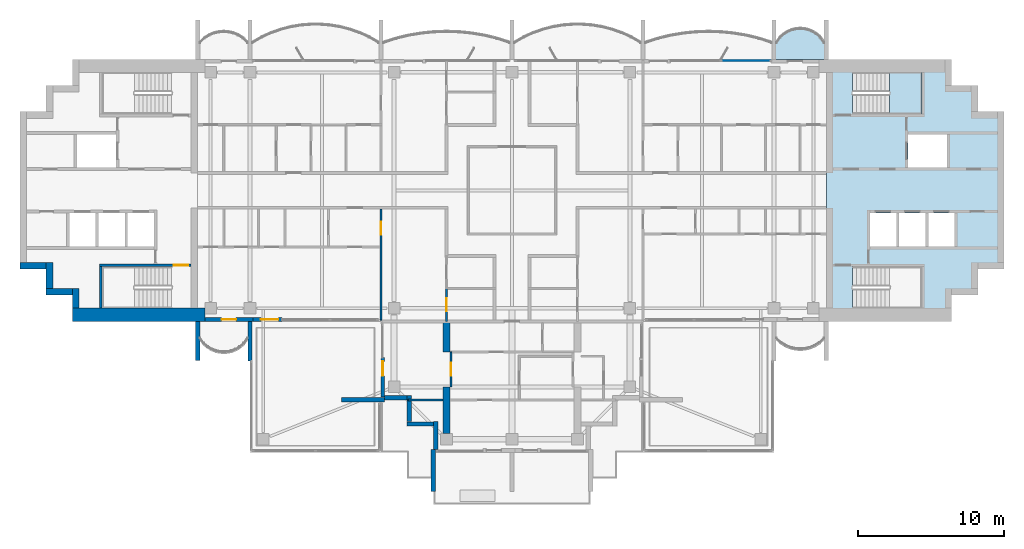
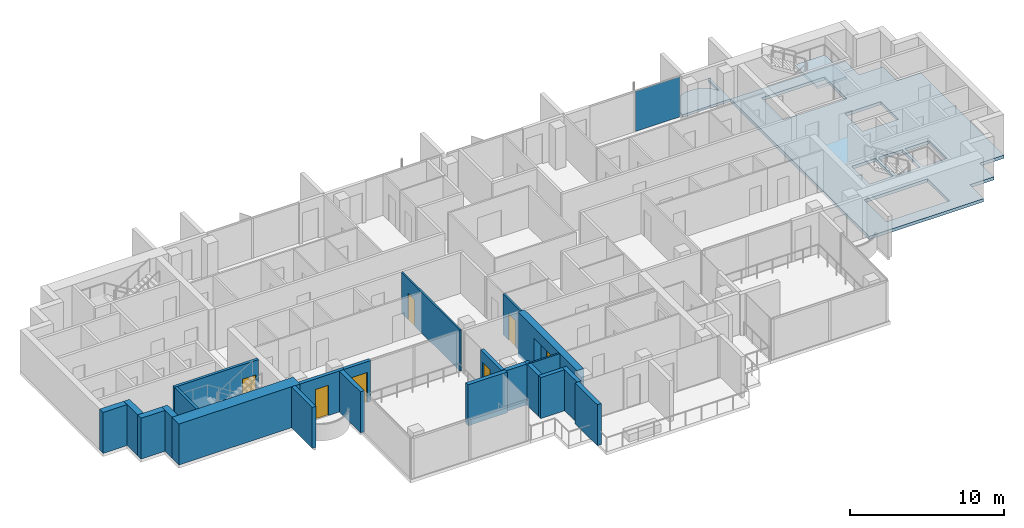
# One storey, part 6 of 16: 23 walls, 7 doors, 3 slabs, 1 plate, 7 openings, 2 elements without a shape of their own.
"""IFC4 building model written with IfcOpenShell, lengths in metres."""

from ifc_helpers import new_model, si_unit, direction, frame, frame_2d, origin, origin_2d, place, context, subcontext, project, spatial, polyline, rectangle, outline, extrude, material, layer, layer_set, material_profile, profile_set, type_object, element, fill, aggregate, save


model = new_model("IFC4")

# Units and contexts
model_context = context("Model", 3, precision=1e-05, world=origin(), true_north=direction((0.0, 1.0)))
body_context = subcontext(model_context, "Body", "Model", "MODEL_VIEW")
ifc_project = project(units=[si_unit("LENGTHUNIT", "METRE"), si_unit("AREAUNIT", "SQUARE_METRE"), si_unit("VOLUMEUNIT", "CUBIC_METRE"), si_unit("PLANEANGLEUNIT", "RADIAN"), si_unit("MASSUNIT", "GRAM", prefix="KILO")], contexts=[model_context])

# Site, building, storey
site_placement = place(None, origin())
site = spatial("IfcSite", under=ifc_project, at=site_placement, CompositionType="ELEMENT")
building_placement = place(site_placement, origin())
building = spatial("IfcBuilding", under=site, at=building_placement, Name="Perihelion Cross Residences", CompositionType="ELEMENT")
storey_placement = place(building_placement, frame((0.0, 0.0, 232.5)))
storey = spatial("IfcBuildingStorey", under=building, at=storey_placement, Name="L58", CompositionType="ELEMENT", Elevation=232.5)

# Slab
ifc_material_1 = material(Name="Concrete C40/50", Category="concrete")
ifc_layer_1 = layer(ifc_material_1, 0.199951171875)
ifc_layer_set_1 = layer_set([ifc_layer_1], Name="Balcony slab 200")
slab_type_1 = type_object("IfcSlabType", Name="Balcony slab 200", PredefinedType="FLOOR", material=ifc_layer_set_1)
slab_1_placement = place(storey_placement, frame((0.0, 0.0, -0.199951171875)))
element("IfcSlab", 1, at=slab_1_placement, inside=storey, type_object=slab_type_1, Name="Slab BK1 L58 east side north bay 1 balcony", PredefinedType="FLOOR", context=body_context, shape_type="SweptSolid", body=[
    extrude(outline(polyline([(21.60009765625, 9.0), (18.0, 9.0), (18.0, 11.699951171875), (18.14990234375, 11.699951171875), (18.14990234375, 10.199951171875), (18.425048828125, 10.568603515625), (18.699951171875, 10.806396484375), (18.97509765625, 10.96875), (19.25, 11.07568359375), (19.52490234375, 11.136962890625), (19.800048828125, 11.156982421875), (20.074951171875, 11.136962890625), (20.35009765625, 11.07568359375), (20.625, 10.96875), (20.89990234375, 10.806396484375), (21.175048828125, 10.568603515625), (21.449951171875, 10.199951171875), (21.449951171875, 11.699951171875), (21.60009765625, 11.699951171875), (21.60009765625, 9.0)])), origin(), (0.0, 0.0, 1.0), 0.199951171875),
])

# Curtain wall, plate
ifc_material_2 = material(Name="Bronze anodised aluminium, tinted glazing", Category="aluminium")
curtain_wall_type = type_object("IfcCurtainWallType", Name="CW1", PredefinedType="NOTDEFINED", material=ifc_material_2)
curtain_wall_placement = place(storey_placement, origin())
curtain_wall = element("IfcCurtainWall", 2, at=curtain_wall_placement, inside=storey, type_object=curtain_wall_type, Name="Curtain wall CW1 L58 east side north bay 2", PredefinedType="NOTDEFINED")
ifc_material_3 = material(Name="Tinted laminated glass", Category="glass")
ifc_layer_2 = layer(ifc_material_3, 0.028076171875)
ifc_layer_set_2 = layer_set([ifc_layer_2], Name="CW1 panel")
plate_type = type_object("IfcPlateType", Name="CW1 panel", PredefinedType="CURTAIN_PANEL", material=ifc_layer_set_2)
plate_placement = place(storey_placement, frame((16.06005859375, 8.89990234375, 0.0), z_axis=(0.0, 0.0, 1.0), x_axis=(-1.0, 0.0, 0.0)))
plate = element("IfcPlate", 3, at=plate_placement, type_object=plate_type, Name="CW1 panel 1", PredefinedType="CURTAIN_PANEL", context=body_context, shape_type="SweptSolid", body=[
    extrude(rectangle(XDim=3.360107421875, YDim=0.028076171875, at=origin_2d()), origin(), (0.0, 0.0, 1.0), 3.18994140625),
])
aggregate(curtain_wall, [plate])

# Slab
ifc_material_4 = material(Name="Concrete C40/50", Category="concrete")
ifc_layer_3 = layer(ifc_material_4, 0.25)
ifc_layer_set_3 = layer_set([ifc_layer_3], Name="Core floor slab 250")
slab_type_2 = type_object("IfcSlabType", Name="Core floor slab 250", PredefinedType="FLOOR", material=ifc_layer_set_3)
slab_2_placement = place(storey_placement, frame((0.0, 0.0, -0.25)))
element("IfcSlab", 4, at=slab_2_placement, inside=storey, type_object=slab_type_2, Name="East core floor slab", PredefinedType="FLOOR", context=body_context, shape_type="SweptSolid", body=[
    extrude(outline(polyline([(30.199951171875, 7.199951171875), (32.0, 7.199951171875), (32.0, 5.39990234375), (33.800048828125, 5.39990234375), (33.800048828125, -5.39990234375), (32.0, -5.39990234375), (32.0, -7.199951171875), (30.199951171875, -7.199951171875), (30.199951171875, -9.0), (21.60009765625, -9.0), (21.60009765625, 9.0), (30.199951171875, 9.0), (30.199951171875, 7.199951171875)]), holes=[polyline([(28.14990234375, -8.10009765625), (28.14990234375, -5.25), (23.405029296875, -5.25), (23.405029296875, -8.10009765625), (28.14990234375, -8.10009765625)]), polyline([(24.60009765625, -1.550048828125), (24.60009765625, -3.85009765625), (26.39990234375, -3.85009765625), (26.39990234375, -1.550048828125), (24.60009765625, -1.550048828125)]), polyline([(26.60009765625, -1.550048828125), (26.60009765625, -3.85009765625), (28.39990234375, -3.85009765625), (28.39990234375, -1.550048828125), (26.60009765625, -1.550048828125)]), polyline([(28.60009765625, -3.85009765625), (30.39990234375, -3.85009765625), (30.39990234375, -1.550048828125), (28.60009765625, -1.550048828125), (28.60009765625, -3.85009765625)]), polyline([(27.199951171875, 3.85009765625), (27.199951171875, 1.550048828125), (29.89990234375, 1.550048828125), (29.89990234375, 3.85009765625), (27.199951171875, 3.85009765625)]), polyline([(23.405029296875, 5.25), (28.14990234375, 5.25), (28.14990234375, 8.10009765625), (23.405029296875, 8.10009765625), (23.405029296875, 5.25)])]), origin(), (0.0, 0.0, 1.0), 0.25),
])

# Stair, slab
ifc_material_5 = material(Name="Concrete C40/50", Category="concrete")
stair_type = type_object("IfcStairType", Name="Exit stair, half-turn", PredefinedType="HALF_TURN_STAIR", material=ifc_material_5)
stair_placement = place(storey_placement, origin())
stair = element("IfcStair", 5, at=stair_placement, inside=storey, type_object=stair_type, Name="L58 East core exit stair 1", PredefinedType="HALF_TURN_STAIR")
ifc_material_6 = material(Name="Concrete C40/50", Category="concrete")
ifc_layer_4 = layer(ifc_material_6, 0.199951171875)
ifc_layer_set_4 = layer_set([ifc_layer_4], Name="Exit stair landing 200")
slab_type_3 = type_object("IfcSlabType", Name="Exit stair landing 200", PredefinedType="LANDING", material=ifc_layer_set_4)
slab_3_placement = place(storey_placement, frame((0.0, 0.0, 1.550048828125)))
slab_3 = element("IfcSlab", 6, at=slab_3_placement, type_object=slab_type_3, Name="ST-E1 landing 1", PredefinedType="LANDING", context=body_context, shape_type="SweptSolid", body=[
    extrude(outline(polyline([(25.919921875, 5.25), (28.14990234375, 5.25), (28.14990234375, 8.10009765625), (25.919921875, 8.10009765625), (25.919921875, 5.25)])), origin(), (0.0, 0.0, 1.0), 0.199951171875),
])
aggregate(stair, [slab_3])

# Wall, opening, door
ifc_material_7 = material(Name="Concrete C30/37, bronze-clad", Category="concrete")
ifc_layer_5 = layer(ifc_material_7, 0.25)
ifc_layer_set_5 = layer_set([ifc_layer_5], Name="Bronze-clad pier wall 250")
wall_type_1 = type_object("IfcWallType", Name="Bronze-clad pier wall 250", PredefinedType="SOLIDWALL", material=ifc_layer_set_5)
wall_1_placement = place(storey_placement, frame((-21.10009765625, -8.875, 0.0), z_axis=(0.0, 0.0, 1.0), x_axis=(1.0, 0.0, 0.0)))
wall_1 = element("IfcWall", 7, at=wall_1_placement, inside=storey, type_object=wall_type_1, Name="Wall FW1 L58 west side south bay 1 pier", PredefinedType="SOLIDWALL", context=body_context, shape_type="SweptSolid", body=[
    extrude(rectangle(XDim=3.300048828125, YDim=0.25, at=frame_2d((1.64990234375, 0.0))), origin(), (0.0, 0.0, 1.0), 3.25),
])
opening_1_placement = place(wall_1_placement, frame((1.14990234375, 0.0, 0.0)))
opening_1 = element("IfcOpeningElement", 8, at=opening_1_placement, cuts=wall_1, Name="Opening L58.E07", PredefinedType="OPENING", context=body_context, shape_type="SweptSolid", body=[
    extrude(rectangle(XDim=1.0, YDim=2.39990234375, at=frame_2d((0.5, 1.199951171875))), frame((0.0, 0.135009765625, 0.0), z_axis=(0.0, -1.0, 0.0), x_axis=(1.0, 0.0, 0.0)), (0.0, 0.0, 1.0), 0.27001953125),
])
ifc_material_8 = material(Name="Bronze anodised aluminium, glazed", Category="aluminium")
door_type_1 = type_object("IfcDoorType", Name="Balcony door 1000 x 2400", OperationType="NOTDEFINED", PredefinedType="DOOR", material=ifc_material_8)
door_1_placement = place(opening_1_placement, origin())
door_1 = element("IfcDoor", 9, at=door_1_placement, inside=storey, type_object=door_type_1, Name="Door L58.E07 west side south bay 1", OperationType="SINGLE_SWING_LEFT", OverallHeight=2.39990234375, OverallWidth=1.0, PredefinedType="DOOR", context=body_context, shape_type="SweptSolid", body=[
    extrude(rectangle(XDim=1.0, YDim=2.39990234375, at=frame_2d((0.5, 1.199951171875))), frame((0.0, 0.02490234375, 0.0), z_axis=(0.0, -1.0, 0.0), x_axis=(1.0, 0.0, 0.0)), (0.0, 0.0, 1.0), 0.050048828125),
])
fill(opening_1, door_1)

wall_2_placement = place(storey_placement, frame((-17.800048828125, -8.875, 0.0), z_axis=(0.0, 0.0, 1.0), x_axis=(1.0, 0.0, 0.0)))
wall_2 = element("IfcWall", 10, at=wall_2_placement, inside=storey, type_object=wall_type_1, Name="Wall FW1 L58 west side south bay 2 pier", PredefinedType="SOLIDWALL", context=body_context, shape_type="SweptSolid", body=[
    extrude(rectangle(XDim=2.0, YDim=0.25, at=frame_2d((1.0, 0.0))), origin(), (0.0, 0.0, 1.0), 3.25),
])
opening_2_placement = place(wall_2_placement, frame((0.550048828125, 0.0, 0.0)))
opening_2 = element("IfcOpeningElement", 11, at=opening_2_placement, cuts=wall_2, Name="Opening L58.E08", PredefinedType="OPENING", context=body_context, shape_type="SweptSolid", body=[
    extrude(rectangle(XDim=1.199951171875, YDim=2.39990234375, at=frame_2d((0.60009765625, 1.199951171875))), frame((0.0, 0.135009765625, 0.0), z_axis=(0.0, -1.0, 0.0), x_axis=(1.0, 0.0, 0.0)), (0.0, 0.0, 1.0), 0.27001953125),
])
ifc_material_9 = material(Name="Bronze anodised aluminium, glazed", Category="aluminium")
door_type_2 = type_object("IfcDoorType", Name="Balcony door 1200 x 2400", OperationType="NOTDEFINED", PredefinedType="DOOR", material=ifc_material_9)
door_2_placement = place(opening_2_placement, origin())
door_2 = element("IfcDoor", 12, at=door_2_placement, inside=storey, type_object=door_type_2, Name="Door L58.E08 west side south bay 2", OperationType="SINGLE_SWING_RIGHT", OverallHeight=2.39990234375, OverallWidth=1.199951171875, PredefinedType="DOOR", context=body_context, shape_type="SweptSolid", body=[
    extrude(rectangle(XDim=1.199951171875, YDim=2.39990234375, at=frame_2d((0.60009765625, 1.199951171875))), frame((0.0, 0.02490234375, 0.0), z_axis=(0.0, -1.0, 0.0), x_axis=(1.0, 0.0, 0.0)), (0.0, 0.0, 1.0), 0.050048828125),
])
fill(opening_2, door_2)

wall_3_placement = place(storey_placement, frame((-8.875, -11.5, 0.0), z_axis=(0.0, 0.0, 1.0), x_axis=(0.0, -1.0, 0.0)))
wall_3 = element("IfcWall", 13, at=wall_3_placement, inside=storey, type_object=wall_type_1, Name="Wall FW1 L58 south side west bay 1 pier", PredefinedType="SOLIDWALL", context=body_context, shape_type="SweptSolid", body=[
    extrude(rectangle(XDim=2.699951171875, YDim=0.25, at=frame_2d((1.35009765625, 0.0))), origin(), (0.0, 0.0, 1.0), 3.25),
])
opening_3_placement = place(wall_3_placement, frame((0.25, 0.0, 0.0)))
opening_3 = element("IfcOpeningElement", 14, at=opening_3_placement, cuts=wall_3, Name="Opening L58.E09", PredefinedType="OPENING", context=body_context, shape_type="SweptSolid", body=[
    extrude(rectangle(XDim=1.0, YDim=2.39990234375, at=frame_2d((0.5, 1.199951171875))), frame((0.0, 0.135009765625, 0.0), z_axis=(0.0, -1.0, 0.0), x_axis=(1.0, 0.0, 0.0)), (0.0, 0.0, 1.0), 0.27001953125),
])
door_3_placement = place(opening_3_placement, origin())
door_3 = element("IfcDoor", 15, at=door_3_placement, inside=storey, type_object=door_type_1, Name="Door L58.E09 south side west bay 1", OperationType="SINGLE_SWING_LEFT", OverallHeight=2.39990234375, OverallWidth=1.0, PredefinedType="DOOR", context=body_context, shape_type="SweptSolid", body=[
    extrude(rectangle(XDim=1.0, YDim=2.39990234375, at=frame_2d((0.5, 1.199951171875))), frame((0.0, 0.02490234375, 0.0), z_axis=(0.0, -1.0, 0.0), x_axis=(1.0, 0.0, 0.0)), (0.0, 0.0, 1.0), 0.050048828125),
])
fill(opening_3, door_3)

# Walls
ifc_material_10 = material(Name="Concrete C30/37, bronze-clad", Category="concrete")
ifc_layer_6 = layer(ifc_material_10, 0.300048828125)
ifc_layer_set_6 = layer_set([ifc_layer_6], Name="Bronze-clad serration wall 300")
wall_type_2 = type_object("IfcWallType", Name="Bronze-clad serration wall 300", PredefinedType="SOLIDWALL", material=ifc_layer_set_6)
wall_4_placement = place(storey_placement, frame((-8.75, -14.25, 0.0), z_axis=(0.0, 0.0, 1.0), x_axis=(1.0, 0.0, 0.0)))
element("IfcWall", 16, at=wall_4_placement, inside=storey, type_object=wall_type_2, Name="Wall SR1 L58 south corner south-west 1", PredefinedType="SOLIDWALL", context=body_context, shape_type="SweptSolid", body=[
    extrude(rectangle(XDim=1.550048828125, YDim=0.300048828125, at=frame_2d((0.77490234375, 0.0))), origin(), (0.0, 0.0, 1.0), 3.25),
])
wall_5_placement = place(storey_placement, frame((-7.050048828125, -14.10009765625, 0.0), z_axis=(0.0, 0.0, 1.0), x_axis=(0.0, -1.0, 0.0)))
element("IfcWall", 17, at=wall_5_placement, inside=storey, type_object=wall_type_2, Name="Wall SR1 L58 south corner south-west 2", PredefinedType="SOLIDWALL", context=body_context, shape_type="SweptSolid", body=[
    extrude(rectangle(XDim=1.7998046875, YDim=0.300048828125, at=frame_2d((0.89990234375, 0.0))), origin(), (0.0, 0.0, 1.0), 3.25),
])
wall_6_placement = place(storey_placement, frame((-7.199951171875, -16.050048828125, 0.0), z_axis=(0.0, 0.0, 1.0), x_axis=(1.0, 0.0, 0.0)))
element("IfcWall", 18, at=wall_6_placement, inside=storey, type_object=wall_type_2, Name="Wall SR1 L58 south corner south-west 3", PredefinedType="SOLIDWALL", context=body_context, shape_type="SweptSolid", body=[
    extrude(rectangle(XDim=1.800048828125, YDim=0.300048828125, at=frame_2d((0.89990234375, 0.0))), origin(), (0.0, 0.0, 1.0), 3.25),
])
wall_7_placement = place(storey_placement, frame((-5.25, -15.89990234375, 0.0), z_axis=(0.0, 0.0, 1.0), x_axis=(0.0, -1.0, 0.0)))
element("IfcWall", 19, at=wall_7_placement, inside=storey, type_object=wall_type_2, Name="Wall SR1 L58 south corner south-west 4", PredefinedType="SOLIDWALL", context=body_context, shape_type="SweptSolid", body=[
    extrude(rectangle(XDim=1.920166015625, YDim=0.300048828125, at=frame_2d((0.9599609375, 0.0))), origin(), (0.0, 0.0, 1.0), 3.25),
])
ifc_material_11 = material(Name="Concrete C60/75", Category="concrete")
ifc_layer_7 = layer(ifc_material_11, 0.449951171875)
ifc_layer_set_7 = layer_set([ifc_layer_7], Name="Core wall, outer 450")
wall_type_3 = type_object("IfcWallType", Name="Core wall, outer 450", PredefinedType="SHEAR", material=ifc_layer_set_7)
wall_8_placement = place(storey_placement, frame((-29.97509765625, -8.10009765625, 0.0), z_axis=(0.0, 0.0, 1.0), x_axis=(0.0, 1.0, 0.0)))
element("IfcWall", 20, at=wall_8_placement, inside=storey, type_object=wall_type_3, Name="West core core wall, outer", PredefinedType="SHEAR", context=body_context, shape_type="SweptSolid", body=[
    extrude(rectangle(XDim=1.35009765625, YDim=0.449951171875, at=frame_2d((0.675048828125, 0.0))), origin(), (0.0, 0.0, 1.0), 3.25),
])
for number, where, z_axis, x_axis, name in (
    (21, (-32.0, -6.97509765625, 0.0), (0.0, 0.0, 1.0), (1.0, 0.0, 0.0), "West core core wall, outer"),
    (22, (-31.77490234375, -6.75, 0.0), (0.0, 0.0, 1.0), (0.0, 1.0, 0.0), "West core core wall, outer"),
    (23, (-33.800048828125, -5.175048828125, 0.0), (0.0, 0.0, 1.0), (1.0, 0.0, 0.0), "West core core wall, outer"),
):
    element("IfcWall", number, at=place(storey_placement, frame(where, z_axis=z_axis, x_axis=x_axis)), inside=storey, type_object=wall_type_3, Name=name, PredefinedType="SHEAR", context=body_context, shape_type="SweptSolid", body=[
        extrude(rectangle(XDim=1.800048828125, YDim=0.449951171875, at=frame_2d((0.89990234375, 0.0))), origin(), (0.0, 0.0, 1.0), 3.25),
    ])
ifc_material_12 = material(Name="Concrete C60/75", Category="concrete")
ifc_layer_8 = layer(ifc_material_12, 0.89990234375)
ifc_layer_set_8 = layer_set([ifc_layer_8], Name="Core wall, outer 900")
wall_type_4 = type_object("IfcWallType", Name="Core wall, outer 900", PredefinedType="SHEAR", material=ifc_layer_set_8)
wall_9_placement = place(storey_placement, frame((-30.199951171875, -8.550048828125, 0.0), z_axis=(0.0, 0.0, 1.0), x_axis=(1.0, 0.0, 0.0)))
element("IfcWall", 24, at=wall_9_placement, inside=storey, type_object=wall_type_4, Name="West core core wall, outer", PredefinedType="SHEAR", context=body_context, shape_type="SweptSolid", body=[
    extrude(rectangle(XDim=9.099853515625, YDim=0.89990234375, at=frame_2d((4.5498046875, 0.0))), origin(), (0.0, 0.0, 1.0), 3.25),
])

# Wall, opening, door
ifc_material_13 = material(Name="Plasterboard partition")
ifc_layer_9 = layer(ifc_material_13, 0.1201171875)
ifc_layer_set_9 = layer_set([ifc_layer_9], Name="Infill panel 120")
wall_type_5 = type_object("IfcWallType", Name="Infill panel 120", PredefinedType="PARTITIONING", material=ifc_layer_set_9)
wall_10_placement = place(storey_placement, frame((-4.18994140625, -11.10009765625, 0.0), z_axis=(0.0, 0.0, 1.0), x_axis=(0.0, -1.0, 0.0)))
wall_10 = element("IfcWall", 25, at=wall_10_placement, inside=storey, type_object=wall_type_5, Name="Partition L58 WI02", PredefinedType="PARTITIONING", context=body_context, shape_type="SweptSolid", body=[
    extrude(rectangle(XDim=2.39990234375, YDim=0.1201171875, at=frame_2d((1.199951171875, 0.0))), origin(), (0.0, 0.0, 1.0), 2.39990234375),
])
opening_4_placement = place(wall_10_placement, frame((0.75, 0.0, 0.0)))
opening_4 = element("IfcOpeningElement", 26, at=opening_4_placement, cuts=wall_10, Name="Opening L58.A44", PredefinedType="OPENING", context=body_context, shape_type="SweptSolid", body=[
    extrude(rectangle(XDim=0.89990234375, YDim=2.10009765625, at=frame_2d((0.449951171875, 1.050048828125))), frame((0.0, 0.070068359375, 0.0), z_axis=(0.0, -1.0, 0.0), x_axis=(1.0, 0.0, 0.0)), (0.0, 0.0, 1.0), 0.14013671875),
])
ifc_material_14 = material(Name="Timber door leaf", Category="wood")
door_type_3 = type_object("IfcDoorType", Name="Interior room door 900 x 2100", OperationType="SINGLE_SWING_LEFT", PredefinedType="DOOR", material=ifc_material_14)
door_4_placement = place(opening_4_placement, origin())
door_4 = element("IfcDoor", 27, at=door_4_placement, inside=storey, type_object=door_type_3, Name="Door L58.A44", OperationType="SINGLE_SWING_RIGHT", OverallHeight=2.10009765625, OverallWidth=0.89990234375, PredefinedType="DOOR", context=body_context, shape_type="SweptSolid", body=[
    extrude(rectangle(XDim=0.89990234375, YDim=2.10009765625, at=frame_2d((0.449951171875, 1.050048828125))), frame((0.0, 0.02490234375, 0.0), z_axis=(0.0, -1.0, 0.0), x_axis=(1.0, 0.0, 0.0)), (0.0, 0.0, 1.0), 0.050048828125),
])
fill(opening_4, door_4)

ifc_material_15 = material(Name="Plasterboard partition")
ifc_layer_10 = layer(ifc_material_15, 0.1201171875)
ifc_layer_set_10 = layer_set([ifc_layer_10], Name="Partition wall 120")
wall_type_6 = type_object("IfcWallType", Name="Partition wall 120", PredefinedType="PARTITIONING", material=ifc_layer_set_10)
wall_11_placement = place(storey_placement, frame((-9.0, -1.300048828125, 0.0), z_axis=(0.0, 0.0, 1.0), x_axis=(0.0, -1.0, 0.0)))
wall_11 = element("IfcWall", 28, at=wall_11_placement, inside=storey, type_object=wall_type_6, Name="Partition L58 W056", PredefinedType="PARTITIONING", context=body_context, shape_type="SweptSolid", body=[
    extrude(rectangle(XDim=7.619873046875, YDim=0.1201171875, at=frame_2d((3.81005859375, 0.0))), origin(), (0.0, 0.0, 1.0), 3.25),
])
opening_5_placement = place(wall_11_placement, frame((0.85009765625, 0.0, 0.0)))
opening_5 = element("IfcOpeningElement", 29, at=opening_5_placement, cuts=wall_11, Name="Opening L58.A30", PredefinedType="OPENING", context=body_context, shape_type="SweptSolid", body=[
    extrude(rectangle(XDim=0.89990234375, YDim=2.10009765625, at=frame_2d((0.449951171875, 1.050048828125))), frame((0.0, 0.070068359375, 0.0), z_axis=(0.0, -1.0, 0.0), x_axis=(1.0, 0.0, 0.0)), (0.0, 0.0, 1.0), 0.14013671875),
])
door_5_placement = place(opening_5_placement, origin())
door_5 = element("IfcDoor", 30, at=door_5_placement, inside=storey, type_object=door_type_3, Name="Door L58.A30", OperationType="SINGLE_SWING_RIGHT", OverallHeight=2.10009765625, OverallWidth=0.89990234375, PredefinedType="DOOR", context=body_context, shape_type="SweptSolid", body=[
    extrude(rectangle(XDim=0.89990234375, YDim=2.10009765625, at=frame_2d((0.449951171875, 1.050048828125))), frame((0.0, 0.02490234375, 0.0), z_axis=(0.0, -1.0, 0.0), x_axis=(1.0, 0.0, 0.0)), (0.0, 0.0, 1.0), 0.050048828125),
])
fill(opening_5, door_5)

wall_12_placement = place(storey_placement, frame((-4.5, -6.75, 0.0), z_axis=(0.0, 0.0, 1.0), x_axis=(0.0, -1.0, 0.0)))
wall_12 = element("IfcWall", 31, at=wall_12_placement, inside=storey, type_object=wall_type_6, Name="Partition L58 W063", PredefinedType="PARTITIONING", context=body_context, shape_type="SweptSolid", body=[
    extrude(rectangle(XDim=2.25, YDim=0.1201171875, at=frame_2d((1.125, 0.0))), origin(), (0.0, 0.0, 1.0), 3.25),
])
opening_6_placement = place(wall_12_placement, frame((0.675048828125, 0.0, 0.0)))
opening_6 = element("IfcOpeningElement", 32, at=opening_6_placement, cuts=wall_12, Name="Opening L58.A29", PredefinedType="OPENING", context=body_context, shape_type="SweptSolid", body=[
    extrude(rectangle(XDim=0.89990234375, YDim=2.10009765625, at=frame_2d((0.449951171875, 1.050048828125))), frame((0.0, 0.070068359375, 0.0), z_axis=(0.0, -1.0, 0.0), x_axis=(1.0, 0.0, 0.0)), (0.0, 0.0, 1.0), 0.14013671875),
])
door_6_placement = place(opening_6_placement, origin())
door_6 = element("IfcDoor", 33, at=door_6_placement, inside=storey, type_object=door_type_3, Name="Door L58.A29", OperationType="SINGLE_SWING_LEFT", OverallHeight=2.10009765625, OverallWidth=0.89990234375, PredefinedType="DOOR", context=body_context, shape_type="SweptSolid", body=[
    extrude(rectangle(XDim=0.89990234375, YDim=2.10009765625, at=frame_2d((0.449951171875, 1.050048828125))), frame((0.0, 0.02490234375, 0.0), z_axis=(0.0, -1.0, 0.0), x_axis=(1.0, 0.0, 0.0)), (0.0, 0.0, 1.0), 0.050048828125),
])
fill(opening_6, door_6)

# Walls
wall_13_placement = place(storey_placement, frame((-4.75, -14.39990234375, 0.0), z_axis=(0.0, 0.0, 1.0), x_axis=(-1.0, 0.0, 0.0)))
element("IfcWall", 34, at=wall_13_placement, inside=storey, type_object=wall_type_6, Name="Partition L58 W075", PredefinedType="PARTITIONING", context=body_context, shape_type="SweptSolid", body=[
    extrude(rectangle(XDim=2.3701171875, YDim=0.1201171875, at=frame_2d((1.18505859375, 0.0))), origin(), (0.0, 0.0, 1.0), 3.25),
])
ifc_material_16 = material(Name="Precast concrete C50/60", Category="concrete")
ifc_layer_11 = layer(ifc_material_16, 0.300048828125)
ifc_layer_set_11 = layer_set([ifc_layer_11], Name="Precast concrete C50/60 blade wall 300")
wall_type_7 = type_object("IfcWallType", Name="Precast concrete C50/60 blade wall 300", PredefinedType="SOLIDWALL", material=ifc_layer_set_11)
wall_14_placement = place(storey_placement, frame((-21.60009765625, -9.0, 0.0), z_axis=(0.0, 0.0, 1.0), x_axis=(0.0, -1.0, 0.0)))
element("IfcWall", 35, at=wall_14_placement, inside=storey, type_object=wall_type_7, Name="Wall BL1 L58 no. 3", PredefinedType="SOLIDWALL", context=body_context, shape_type="SweptSolid", body=[
    extrude(rectangle(XDim=2.699951171875, YDim=0.300048828125, at=frame_2d((1.35009765625, 0.0))), origin(), (0.0, 0.0, 1.0), 3.25),
])
wall_15_placement = place(storey_placement, frame((-18.0, -9.0, 0.0), z_axis=(0.0, 0.0, 1.0), x_axis=(0.0, -1.0, 0.0)))
element("IfcWall", 36, at=wall_15_placement, inside=storey, type_object=wall_type_7, Name="Wall BL1 L58 no. 1", PredefinedType="SOLIDWALL", context=body_context, shape_type="SweptSolid", body=[
    extrude(rectangle(XDim=2.739990234375, YDim=0.300048828125, at=frame_2d((1.3701171875, 0.0))), origin(), (0.0, 0.0, 1.0), 3.25),
])
wall_16_placement = place(storey_placement, frame((-8.75, -14.39990234375, 0.0), z_axis=(0.0, 0.0, 1.0), x_axis=(-1.0, 0.0, 0.0)))
element("IfcWall", 37, at=wall_16_placement, inside=storey, type_object=wall_type_7, Name="Wall BL1 L58 no. 6", PredefinedType="SOLIDWALL", context=body_context, shape_type="SweptSolid", body=[
    extrude(rectangle(XDim=2.949951171875, YDim=0.300048828125, at=frame_2d((1.47509765625, 0.0))), origin(), (0.0, 0.0, 1.0), 3.25),
])
wall_17_placement = place(storey_placement, frame((-5.39990234375, -17.820068359375, 0.0), z_axis=(0.0, 0.0, 1.0), x_axis=(0.0, -1.0, 0.0)))
element("IfcWall", 38, at=wall_17_placement, inside=storey, type_object=wall_type_7, Name="Wall BL1 L58 no. 5", PredefinedType="SOLIDWALL", context=body_context, shape_type="SweptSolid", body=[
    extrude(rectangle(XDim=2.8798828125, YDim=0.300048828125, at=frame_2d((1.43994140625, 0.0))), origin(), (0.0, 0.0, 1.0), 3.25),
])

# Wall, opening, door
ifc_material_17 = material(Name="Concrete C50/60", Category="concrete")
ifc_layer_12 = layer(ifc_material_17, 0.199951171875)
ifc_layer_set_12 = layer_set([ifc_layer_12], Name="Stair wall 200")
wall_type_8 = type_object("IfcWallType", Name="Stair wall 200", PredefinedType="SOLIDWALL", material=ifc_layer_set_12)
wall_18_placement = place(storey_placement, frame((-28.35009765625, -5.14990234375, 0.0), z_axis=(0.0, 0.0, 1.0), x_axis=(1.0, 0.0, 0.0)))
wall_18 = element("IfcWall", 39, at=wall_18_placement, inside=storey, type_object=wall_type_8, Name="West core stair wall", PredefinedType="SOLIDWALL", context=body_context, shape_type="SweptSolid", body=[
    extrude(rectangle(XDim=6.300048828125, YDim=0.199951171875, at=frame_2d((3.14990234375, 0.0))), origin(), (0.0, 0.0, 1.0), 3.25),
])
opening_7_placement = place(wall_18_placement, frame((5.10009765625, 0.0, 0.0)))
opening_7 = element("IfcOpeningElement", 40, at=opening_7_placement, cuts=wall_18, Name="Opening L58.C17", PredefinedType="OPENING", context=body_context, shape_type="SweptSolid", body=[
    extrude(rectangle(XDim=1.0, YDim=2.10009765625, at=frame_2d((0.5, 1.050048828125))), frame((0.0, 0.10986328125, 0.0), z_axis=(0.0, -1.0, 0.0), x_axis=(1.0, 0.0, 0.0)), (0.0, 0.0, 1.0), 0.219970703125),
])
ifc_material_18 = material(Name="Steel, powder coated", Category="steel")
door_type_4 = type_object("IfcDoorType", Name="Stair door 1000", OperationType="SINGLE_SWING_LEFT", PredefinedType="DOOR", material=ifc_material_18)
door_7_placement = place(opening_7_placement, origin())
door_7 = element("IfcDoor", 41, at=door_7_placement, inside=storey, type_object=door_type_4, Name="West core stair door", OperationType="SINGLE_SWING_LEFT", OverallHeight=2.10009765625, OverallWidth=1.0, PredefinedType="DOOR", context=body_context, shape_type="SweptSolid", body=[
    extrude(rectangle(XDim=1.0, YDim=2.10009765625, at=frame_2d((0.5, 1.050048828125))), frame((0.0, 0.02490234375, 0.0), z_axis=(0.0, -1.0, 0.0), x_axis=(1.0, 0.0, 0.0)), (0.0, 0.0, 1.0), 0.050048828125),
])
fill(opening_7, door_7)

# Walls
wall_19_placement = place(storey_placement, frame((-28.25, -8.10009765625, 0.0), z_axis=(0.0, 0.0, 1.0), x_axis=(0.0, 1.0, 0.0)))
element("IfcWall", 42, at=wall_19_placement, inside=storey, type_object=wall_type_8, Name="West core stair wall", PredefinedType="SOLIDWALL", context=body_context, shape_type="SweptSolid", body=[
    extrude(rectangle(XDim=2.85009765625, YDim=0.199951171875, at=frame_2d((1.425048828125, 0.0))), origin(), (0.0, 0.0, 1.0), 3.25),
])
ifc_material_19 = material(Name="Concrete C50/60", Category="concrete")
ifc_material_profile = material_profile(ifc_material_19, outline(polyline([(0.0, 0.0), (3.199951171875, 0.0), (3.199951171875, 2.64990234375), (5.60009765625, 2.64990234375), (5.60009765625, 0.0), (7.699951171875, 0.0), (7.699951171875, 3.5), (0.0, 3.5), (0.0, 0.0)])), Name="Tip spine wall")
ifc_profile_set = profile_set([ifc_material_profile], Name="Concrete C50/60")
wall_type_9 = type_object("IfcWallType", Name="Tip spine wall 500 with 1 door openings 7700 long 3500 high concrete C50/60", PredefinedType="SHEAR", material=ifc_profile_set)
wall_20_placement = place(storey_placement, frame((-4.75, -16.699951171875, -0.25), z_axis=(1.0, 0.0, 0.0), x_axis=(0.0, 1.0, 0.0)))
element("IfcWall", 43, at=wall_20_placement, inside=storey, type_object=wall_type_9, Name="Shear wall SW45 L58 south west", PredefinedType="SHEAR", context=body_context, shape_type="SweptSolid", body=[
    extrude(outline(polyline([(0.0, 0.0), (3.199951171875, 0.0), (3.199951171875, 2.64990234375), (5.60009765625, 2.64990234375), (5.60009765625, 0.0), (7.699951171875, 0.0), (7.699951171875, 3.5), (0.0, 3.5), (0.0, 0.0)])), origin(), (0.0, 0.0, 1.0), 0.5),
])

save(model, "model.ifc")
